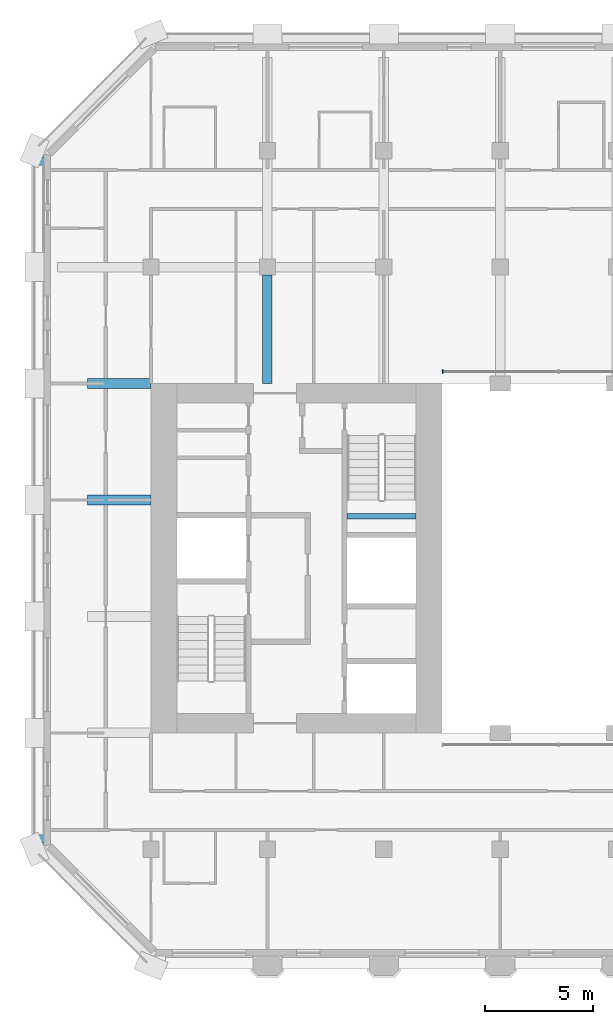
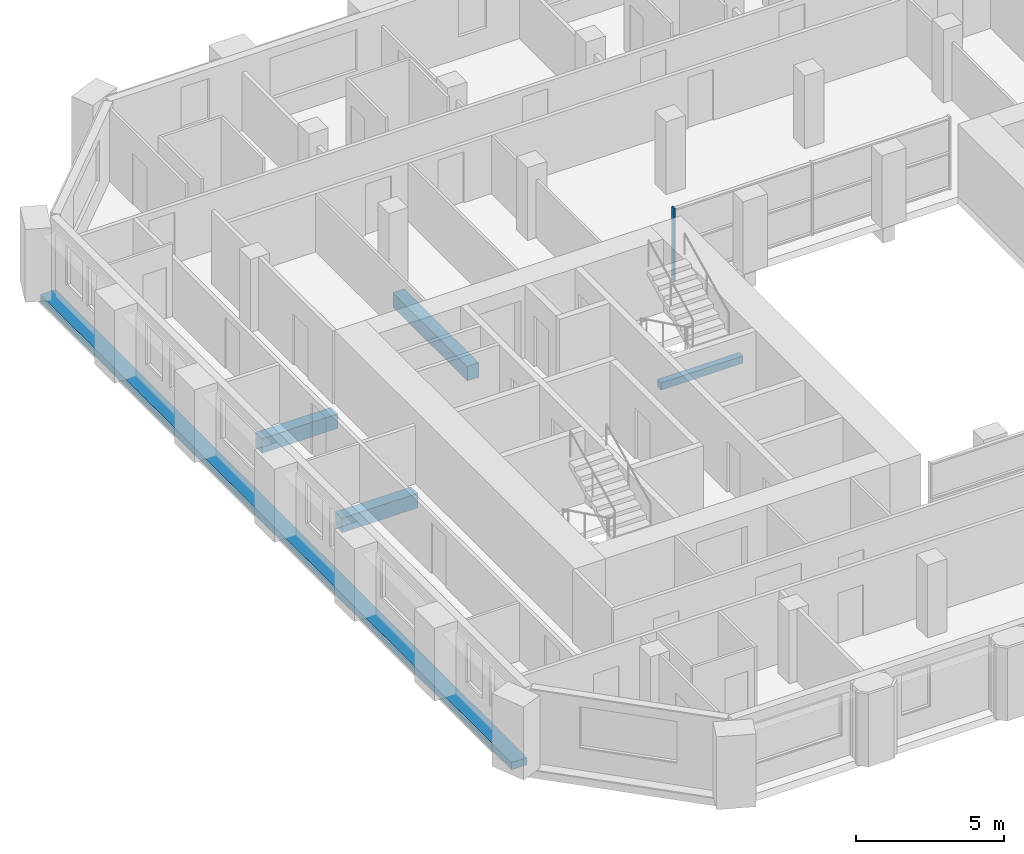
# One storey, part 3 of 14: 5 beams, 1 member, 1 element without a shape of its own.
"""IFC4 building model written with IfcOpenShell, lengths in metres."""

from ifc_helpers import new_model, si_unit, direction, frame, origin, origin_2d, place, context, subcontext, project, spatial, rectangle, extrude, material, material_profile, profile_set, type_object, element, aggregate, save


model = new_model("IFC4")

# Units and contexts
model_context = context("Model", 3, precision=1e-05, world=origin(), true_north=direction((0.0, 1.0)))
body_context = subcontext(model_context, "Body", "Model", "MODEL_VIEW")
ifc_project = project(units=[si_unit("LENGTHUNIT", "METRE"), si_unit("AREAUNIT", "SQUARE_METRE"), si_unit("VOLUMEUNIT", "CUBIC_METRE"), si_unit("PLANEANGLEUNIT", "RADIAN"), si_unit("MASSUNIT", "GRAM", prefix="KILO")], contexts=[model_context])

# Site, building, storey
site_placement = place(None, origin())
site = spatial("IfcSite", under=ifc_project, at=site_placement, CompositionType="ELEMENT")
building_placement = place(site_placement, origin())
building = spatial("IfcBuilding", under=site, at=building_placement, Name="Tabaq Tower and Sports Hall", CompositionType="ELEMENT")
storey_placement = place(building_placement, frame((0.0, 0.0, 226.89990234375)))
storey = spatial("IfcBuildingStorey", under=building, at=storey_placement, Name="L57", CompositionType="ELEMENT", Elevation=226.89990234375)

# Curtain wall, member
ifc_material_1 = material(Name="Aluminium alloy 6063-T6 framed glazing", Category="aluminium")
curtain_wall_type = type_object("IfcCurtainWallType", Name="CW1 curtain wall", PredefinedType="USERDEFINED", material=ifc_material_1)
curtain_wall_placement = place(storey_placement, origin())
curtain_wall = element("IfcCurtainWall", 1, at=curtain_wall_placement, inside=storey, type_object=curtain_wall_type, Name="Atrium glazing L57 N", ObjectType="ATRIUM ENCLOSURE", PredefinedType="USERDEFINED")
ifc_material_2 = material(Name="Aluminium alloy 6063-T6", Category="aluminium")
ifc_material_profile_1 = material_profile(ifc_material_2, rectangle(XDim=0.159912109375, YDim=0.06005859375, at=origin_2d()), Name="MULLION 160x60")
ifc_profile_set_1 = profile_set([ifc_material_profile_1], Name="Aluminium alloy 6063-T6")
member_type = type_object("IfcMemberType", Name="CW1 mullion 160x60", PredefinedType="MULLION", material=ifc_profile_set_1)
member_placement = place(storey_placement, frame((18.929931640625, 32.949951171875, 0.0), z_axis=(0.0, 0.0, 1.0), x_axis=(0.0, 1.0, 0.0)))
member = element("IfcMember", 2, at=member_placement, type_object=member_type, Name="CW1 mullion 1", PredefinedType="MULLION", context=body_context, shape_type="SweptSolid", body=[
    extrude(rectangle(XDim=0.159912109375, YDim=0.06005859375, at=origin_2d()), origin(), (0.0, 0.0, 1.0), 3.0),
])
aggregate(curtain_wall, [member])

# Beams
ifc_material_3 = material(Name="Concrete C40/50", Category="concrete")
ifc_material_profile_2 = material_profile(ifc_material_3, rectangle(XDim=0.449951171875, YDim=0.60009765625, at=origin_2d()), Name="CB 450x600")
ifc_profile_set_2 = profile_set([ifc_material_profile_2], Name="Concrete C40/50")
beam_type_1 = type_object("IfcBeamType", Name="PT CANTILEVER BEAM CB 450x600 C40/50", PredefinedType="BEAM", material=ifc_profile_set_2)
for number, where, z_axis, x_axis, name in (
    (3, (2.449951171875, 27.0, -0.599853515625), (1.0, 0.0, 0.0), (0.0, 1.0, 0.0), "Cantilever Beam L57 W5 span 1"),
    (4, (2.449951171875, 32.39990234375, -0.599853515625), (1.0, 0.0, 0.0), (0.0, 1.0, 0.0), "Cantilever Beam L57 W6 span 1"),
):
    element("IfcBeam", number, at=place(storey_placement, frame(where, z_axis=z_axis, x_axis=x_axis)), inside=storey, type_object=beam_type_1, Name=name, PredefinedType="BEAM", context=body_context, shape_type="SweptSolid", body=[
        extrude(rectangle(XDim=0.449951171875, YDim=0.60009765625, at=origin_2d()), origin(), (0.0, 0.0, 1.0), 2.949951171875),
    ])
beam_1_placement = place(storey_placement, frame((10.800048828125, 37.425048828125, -0.599853515625), z_axis=(0.0, -1.0, 0.0), x_axis=(1.0, 0.0, 0.0)))
element("IfcBeam", 5, at=beam_1_placement, inside=storey, type_object=beam_type_1, Name="Cantilever Beam L57 N2 span 3", PredefinedType="BEAM", context=body_context, shape_type="SweptSolid", body=[
    extrude(rectangle(XDim=0.449951171875, YDim=0.60009765625, at=origin_2d()), origin(), (0.0, 0.0, 1.0), 5.025146484375),
])
ifc_material_4 = material(Name="Concrete C40/50", Category="concrete")
ifc_material_profile_3 = material_profile(ifc_material_4, rectangle(XDim=0.60009765625, YDim=0.300048828125, at=origin_2d()), Name="EB 600x300")
ifc_profile_set_3 = profile_set([ifc_material_profile_3], Name="Concrete C40/50")
beam_type_2 = type_object("IfcBeamType", Name="PT EDGE BEAM EB 600x300 C40/50", PredefinedType="SPANDREL", material=ifc_profile_set_3)
beam_2_placement = place(storey_placement, frame((0.300048828125, 42.9013671875, -0.14990234375), z_axis=(0.0, -1.0, 0.0), x_axis=(1.0, 0.0, 0.0)))
element("IfcBeam", 6, at=beam_2_placement, inside=storey, type_object=beam_type_2, Name="Edge Beam L57 4", PredefinedType="SPANDREL", context=body_context, shape_type="SweptSolid", body=[
    extrude(rectangle(XDim=0.60009765625, YDim=0.300048828125, at=origin_2d()), origin(), (0.0, 0.0, 1.0), 31.802734375),
])
ifc_material_5 = material(Name="Concrete C40/50", Category="concrete")
ifc_material_profile_4 = material_profile(ifc_material_5, rectangle(XDim=0.25, YDim=0.300048828125, at=origin_2d()), Name="RC 250x300")
ifc_profile_set_4 = profile_set([ifc_material_profile_4], Name="Concrete C40/50")
beam_type_3 = type_object("IfcBeamType", Name="Stair landing beam 250x300", PredefinedType="BEAM", material=ifc_profile_set_4)
beam_3_placement = place(storey_placement, frame((14.5, 26.25, 1.300048828125), z_axis=(1.0, 0.0, 0.0), x_axis=(0.0, 1.0, 0.0)))
element("IfcBeam", 7, at=beam_3_placement, inside=storey, type_object=beam_type_3, Name="L57 ST2 landing beam 1", PredefinedType="BEAM", context=body_context, shape_type="SweptSolid", body=[
    extrude(rectangle(XDim=0.25, YDim=0.300048828125, at=origin_2d()), origin(), (0.0, 0.0, 1.0), 3.199951171875),
])

save(model, "model.ifc")
